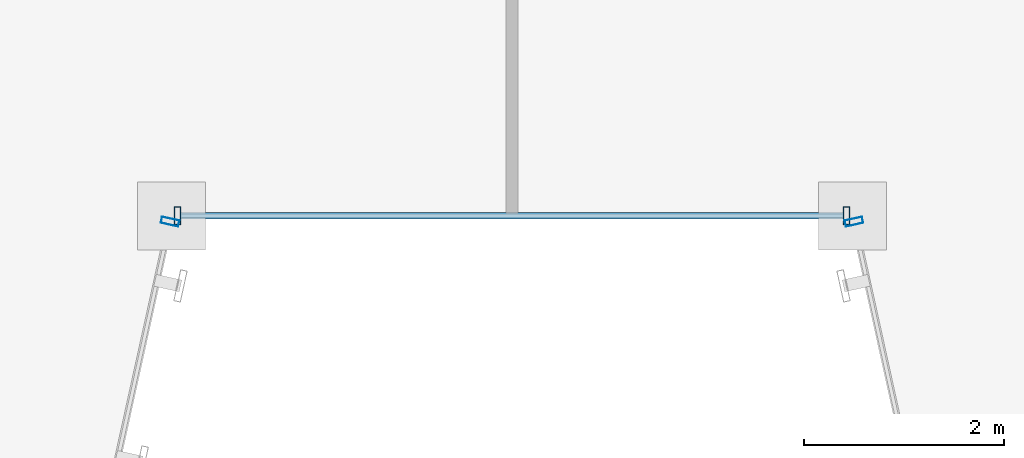
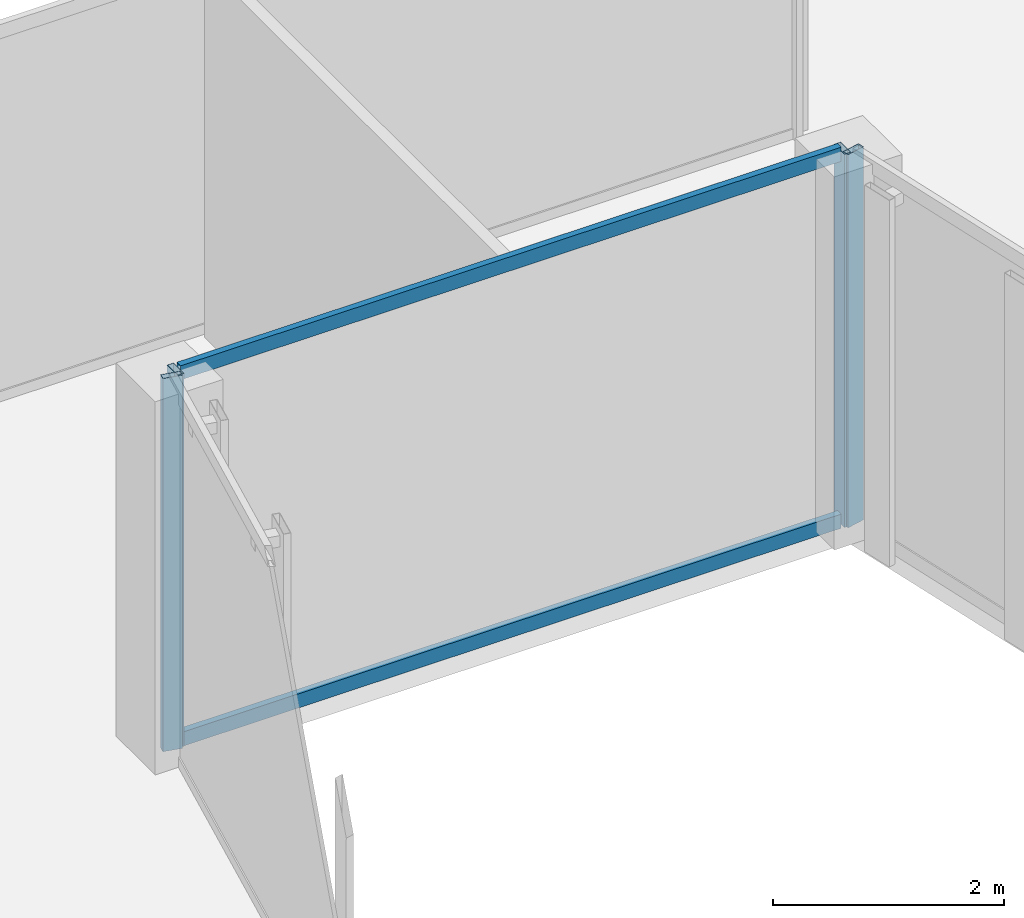
# One storey, part 9 of 47: 6 members, 3 elements without a shape of their own.
"""IFC4 building model written with IfcOpenShell, lengths in metres."""

from ifc_helpers import new_model, si_unit, direction, frame, origin, origin_2d, place, context, subcontext, project, spatial, hollow_rectangle, extrude, material, material_profile, profile_set, type_object, element, aggregate, save


model = new_model("IFC4")

# Units and contexts
model_context = context("Model", 3, precision=1e-05, world=origin(), true_north=direction((0.0, 1.0)))
body_context = subcontext(model_context, "Body", "Model", "MODEL_VIEW")
ifc_project = project(units=[si_unit("LENGTHUNIT", "METRE"), si_unit("AREAUNIT", "SQUARE_METRE"), si_unit("VOLUMEUNIT", "CUBIC_METRE"), si_unit("PLANEANGLEUNIT", "RADIAN"), si_unit("MASSUNIT", "GRAM", prefix="KILO")], contexts=[model_context])

# Site, building, storey
site_placement = place(None, origin())
site = spatial("IfcSite", under=ifc_project, at=site_placement, CompositionType="ELEMENT")
building_placement = place(site_placement, origin())
building = spatial("IfcBuilding", under=site, at=building_placement, Name="Saevonmaru Cultural Tower", CompositionType="ELEMENT")
storey_placement = place(building_placement, frame((0.0, 0.0, 82.39990234375)))
storey = spatial("IfcBuildingStorey", under=building, at=storey_placement, Name="L17", CompositionType="ELEMENT", Elevation=82.39990234375)

# Curtain wall, member
ifc_material = material(Name="Satin Bronze Anodised Aluminium", Category="aluminium")
curtain_wall_type = type_object("IfcCurtainWallType", Name="CW-TYP-A", PredefinedType="NOTDEFINED", material=ifc_material)
curtain_wall_1_placement = place(storey_placement, origin())
curtain_wall_1 = element("IfcCurtainWall", 1, at=curtain_wall_1_placement, inside=storey, type_object=curtain_wall_type, Name="L17 Unitised Curtain Wall E3", PredefinedType="NOTDEFINED")
ifc_material_profile_1 = material_profile(ifc_material, hollow_rectangle(XDim=0.06494140625, YDim=0.179931640625, WallThickness=0.00390625, at=origin_2d()), Name="ALU-MULL-180x65x4")
ifc_profile_set_1 = profile_set([ifc_material_profile_1], Name="Satin Bronze Anodised Aluminium")
member_type_1 = type_object("IfcMemberType", Name="ML-CW-180x65", PredefinedType="MULLION", material=ifc_profile_set_1)
member_1_placement = place(storey_placement, frame((26.587158203125, 15.54150390625, 0.0), z_axis=(0.0, 0.0, 1.0), x_axis=(0.215413319953, 0.976522965212, 0.0)))
member_1 = element("IfcMember", 2, at=member_1_placement, type_object=member_type_1, Name="CW-TW-L17-E3 mullion 2", PredefinedType="MULLION", context=body_context, shape_type="SweptSolid", body=[
    extrude(hollow_rectangle(XDim=0.06494140625, YDim=0.179931640625, WallThickness=0.00390625, at=origin_2d()), origin(), (0.0, 0.0, 1.0), 3.9501953125),
])
aggregate(curtain_wall_1, [member_1])

# Curtain wall, members
curtain_wall_2_placement = place(storey_placement, origin())
curtain_wall_2 = element("IfcCurtainWall", 3, at=curtain_wall_2_placement, inside=storey, type_object=curtain_wall_type, Name="L17 Unitised Curtain Wall E4", PredefinedType="NOTDEFINED")
member_2_placement = place(storey_placement, frame((26.659912109375, 15.60009765625, 0.0), z_axis=(0.0, 0.0, 1.0), x_axis=(1.0, 0.0, 0.0)))
member_2 = element("IfcMember", 4, at=member_2_placement, type_object=member_type_1, Name="CW-TW-L17-E4 mullion 1", PredefinedType="MULLION", context=body_context, shape_type="SweptSolid", body=[
    extrude(hollow_rectangle(XDim=0.06494140625, YDim=0.179931640625, WallThickness=0.00390625, at=origin_2d()), origin(), (0.0, 0.0, 1.0), 3.9501953125),
])
member_3_placement = place(storey_placement, frame((33.340087890625, 15.60009765625, 0.0), z_axis=(0.0, 0.0, 1.0), x_axis=(1.0, 0.0, 0.0)))
member_3 = element("IfcMember", 5, at=member_3_placement, type_object=member_type_1, Name="CW-TW-L17-E4 mullion 2", PredefinedType="MULLION", context=body_context, shape_type="SweptSolid", body=[
    extrude(hollow_rectangle(XDim=0.06494140625, YDim=0.179931640625, WallThickness=0.00390625, at=origin_2d()), origin(), (0.0, 0.0, 1.0), 3.9501953125),
])

# Curtain wall, member
curtain_wall_3_placement = place(storey_placement, origin())
curtain_wall_3 = element("IfcCurtainWall", 6, at=curtain_wall_3_placement, inside=storey, type_object=curtain_wall_type, Name="L17 Unitised Curtain Wall E5", PredefinedType="NOTDEFINED")
member_4_placement = place(storey_placement, frame((33.412841796875, 15.54150390625, 0.0), z_axis=(0.0, 0.0, 1.0), x_axis=(0.215413319953, -0.976522965212, 0.0)))
member_4 = element("IfcMember", 7, at=member_4_placement, type_object=member_type_1, Name="CW-TW-L17-E5 mullion 1", PredefinedType="MULLION", context=body_context, shape_type="SweptSolid", body=[
    extrude(hollow_rectangle(XDim=0.06494140625, YDim=0.179931640625, WallThickness=0.00390625, at=origin_2d()), origin(), (0.0, 0.0, 1.0), 3.9501953125),
])
aggregate(curtain_wall_3, [member_4])

# Member
ifc_material_profile_2 = material_profile(ifc_material, hollow_rectangle(XDim=0.06494140625, YDim=0.14990234375, WallThickness=0.00390625, at=origin_2d()), Name="ALU-TRAN-150x65x4")
ifc_profile_set_2 = profile_set([ifc_material_profile_2], Name="Satin Bronze Anodised Aluminium")
member_type_2 = type_object("IfcMemberType", Name="TR-CW-150x65", PredefinedType="USERDEFINED", material=ifc_profile_set_2)
member_5_placement = place(storey_placement, frame((26.6923828125, 15.60009765625, 0.03271484375), z_axis=(1.0, 0.0, 0.0), x_axis=(0.0, 1.0, 0.0)))
member_5 = element("IfcMember", 8, at=member_5_placement, type_object=member_type_2, Name="CW-TW-L17-E4 transom 1.1", ObjectType="TRANSOM", PredefinedType="USERDEFINED", context=body_context, shape_type="SweptSolid", body=[
    extrude(hollow_rectangle(XDim=0.06494140625, YDim=0.14990234375, WallThickness=0.00390625, at=origin_2d()), origin(), (0.0, 0.0, 1.0), 6.615234375),
])

member_6_placement = place(storey_placement, frame((26.6923828125, 15.60009765625, 3.91748046875), z_axis=(1.0, 0.0, 0.0), x_axis=(0.0, 1.0, 0.0)))
member_6 = element("IfcMember", 9, at=member_6_placement, type_object=member_type_2, Name="CW-TW-L17-E4 transom 1.2", ObjectType="TRANSOM", PredefinedType="USERDEFINED", context=body_context, shape_type="SweptSolid", body=[
    extrude(hollow_rectangle(XDim=0.06494140625, YDim=0.14990234375, WallThickness=0.00390625, at=origin_2d()), origin(), (0.0, 0.0, 1.0), 6.615234375),
])

aggregate(curtain_wall_2, [member_2, member_3, member_5, member_6])

save(model, "model.ifc")
